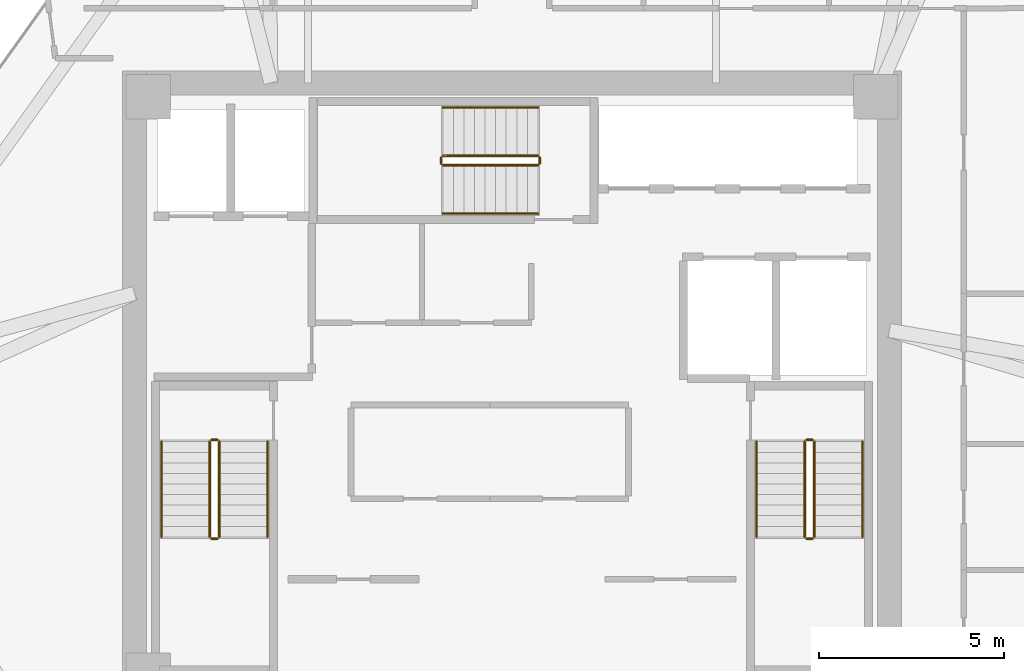
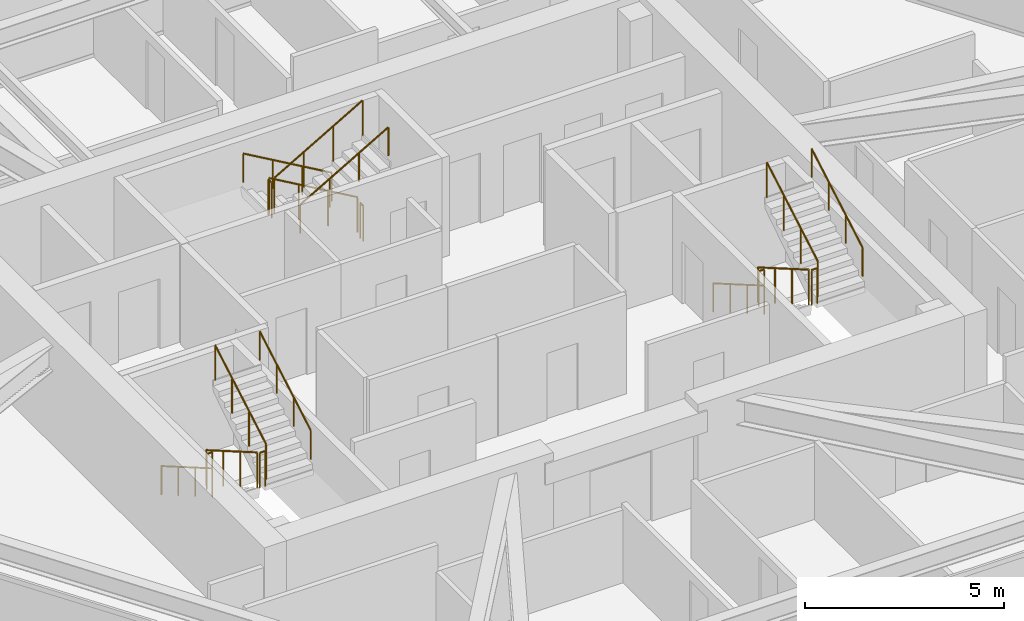
# One storey, part 14 of 14: 18 railings.
"""IFC4 building model written with IfcOpenShell, lengths in metres."""

import ifcopenshell
import ifcopenshell.guid

model = None  # the IFC model being written
_history = None  # IfcOwnerHistory: only IFC2X3 demands one
_inside = {}  # id of a spatial element -> (the spatial element, [elements in it])
_under = {}  # id of a project, library or spatial element -> (it, [spatial elements below it])
_declared = {}  # id of a project -> (the project, [libraries it declares])
_typed = {}  # id of a type object -> (the type object, [elements of that type])
_made_of = {}  # id of a material, layer set ... -> (it, [elements and type objects made of it])


def new_model(schema):
    """Start an empty IFC model of exactly this schema.

    Asked for "IFC4X3", IfcOpenShell would pick the latest addendum, in which some entities
    have other attributes; the version numbers below select the first issue.
    IFC2X3 requires an IfcOwnerHistory on every rooted entity: one is made here for all.
    """
    global model, _history
    if schema == "IFC4X3":
        model = ifcopenshell.file(schema_version=(4, 3, 0, 0))
    else:
        model = ifcopenshell.file(schema=schema)
    _inside.clear()
    _under.clear()
    _declared.clear()
    _typed.clear()
    _made_of.clear()
    _history = None
    if model.schema == "IFC2X3":
        org = make("IfcOrganization", Name="unknown")
        user = make(
            "IfcPersonAndOrganization",
            ThePerson=make("IfcPerson", FamilyName="unknown"),
            TheOrganization=org,
        )
        app = make(
            "IfcApplication",
            ApplicationDeveloper=org,
            Version="unknown",
            ApplicationFullName="unknown",
            ApplicationIdentifier="unknown",
        )
        _history = make(
            "IfcOwnerHistory",
            OwningUser=user,
            OwningApplication=app,
            ChangeAction="ADDED",
            CreationDate=0,
        )
    return model


def make(cls, **values):
    """One entity of the class cls with the attributes given. An attribute that is None is left unset."""
    return model.create_entity(
        cls, **{name: value for name, value in values.items() if value is not None}
    )


def rooted(cls, **values):
    """An entity with a GlobalId (a new one), such as an element, a storey or a relation."""
    return make(cls, GlobalId=ifcopenshell.guid.new(), OwnerHistory=_history, **values)


def si_unit(unit_type, name, prefix=None):
    """IfcSIUnit, for example si_unit("LENGTHUNIT", "METRE", prefix="MILLI")."""
    return make("IfcSIUnit", UnitType=unit_type, Prefix=prefix, Name=name)


def assignment(units):
    """IfcUnitAssignment: the units of a project."""
    return None if units is None else make("IfcUnitAssignment", Units=units)


def point(xyz):
    """IfcCartesianPoint."""
    return None if xyz is None else make("IfcCartesianPoint", Coordinates=xyz)


def direction(xyz):
    """IfcDirection."""
    return None if xyz is None else make("IfcDirection", DirectionRatios=xyz)


def frame(location, z_axis=None, x_axis=None):
    """IfcAxis2Placement3D, a coordinate frame: its origin and axes. An axis left out is left unset."""
    return make(
        "IfcAxis2Placement3D",
        Location=point(location),
        Axis=direction(z_axis),
        RefDirection=direction(x_axis),
    )


def frame_2d(location, x_axis=None):
    """IfcAxis2Placement2D, a coordinate frame in the plane: its origin and x axis."""
    return make(
        "IfcAxis2Placement2D", Location=point(location), RefDirection=direction(x_axis)
    )


def origin():
    """The frame at (0, 0, 0) with its axes left unset."""
    return frame((0.0, 0.0, 0.0))


def origin_2d():
    """The frame at (0, 0) in the plane with its x axis left unset."""
    return frame_2d((0.0, 0.0))


def place(relative_to, where):
    """IfcLocalPlacement: puts the frame where relative to a parent placement (None: the world)."""
    return make(
        "IfcLocalPlacement", PlacementRelTo=relative_to, RelativePlacement=where
    )


def context(
    kind, dimensions, precision=None, world=None, true_north=None, identifier=None
):
    """IfcGeometricRepresentationContext, for example the 3D "Model" context."""
    return make(
        "IfcGeometricRepresentationContext",
        ContextIdentifier=identifier,
        ContextType=kind,
        CoordinateSpaceDimension=dimensions,
        Precision=precision,
        WorldCoordinateSystem=world,
        TrueNorth=true_north,
    )


def subcontext(parent, identifier, kind, view, scale=None):
    """IfcGeometricRepresentationSubContext, for example "Body" below "Model"."""
    return make(
        "IfcGeometricRepresentationSubContext",
        ContextIdentifier=identifier,
        ContextType=kind,
        ParentContext=parent,
        TargetScale=scale,
        TargetView=view,
    )


def project(units=None, contexts=None):
    """IfcProject with its units and contexts."""
    return rooted(
        "IfcProject",
        Name="project",
        RepresentationContexts=contexts,
        UnitsInContext=assignment(units),
    )


def spatial(cls, under=None, at=None, **own):
    """A site, building, storey or space (cls), placed at a placement, below another one or the project."""
    s = rooted(cls, ObjectPlacement=at, **own)
    if under is not None:
        _under.setdefault(under.id(), (under, []))[1].append(s)
    return s


def profile(cls, at=None, kind="AREA", **sizes):
    """A parametric profile (cls). Its sizes go by their IFC names, for example OverallWidth=200.0."""
    return make(cls, ProfileType=kind, Position=at, **sizes)


def circle(**sizes):
    """IfcCircleProfileDef."""
    return profile("IfcCircleProfileDef", **sizes)


def extrude(swept, where, along, depth):
    """IfcExtrudedAreaSolid: the profile swept, set in the frame where, extruded along a direction by depth."""
    return make(
        "IfcExtrudedAreaSolid",
        SweptArea=swept,
        Position=where,
        ExtrudedDirection=direction(along),
        Depth=depth,
    )


def shape(context_of_items, identifier, shape_type, items):
    """IfcShapeRepresentation: the items that make up one representation, for example the "Body"."""
    return make(
        "IfcShapeRepresentation",
        ContextOfItems=context_of_items,
        RepresentationIdentifier=identifier,
        RepresentationType=shape_type,
        Items=items,
    )


def material(Name=None, Category=None):
    """IfcMaterial."""
    return make("IfcMaterial", Name=Name, Category=Category)


def made_of(thing, what):
    """Note that an element or type object is made of a material, layer set ...; save() writes the relation."""
    if what is not None:
        _made_of.setdefault(what.id(), (what, []))[1].append(thing)
    return thing


def type_object(cls, material=None, **own):
    """A type object (cls), such as IfcWallType, which elements share."""
    return made_of(rooted(cls, **own), material)


def element(
    cls,
    number,
    at=None,
    inside=None,
    cuts=None,
    type_object=None,
    material=None,
    context=None,
    identifier="Body",
    shape_type=None,
    held_by="IfcProductDefinitionShape",
    body=None,
    shapes=None,
    **own,
):
    """One element of the class cls, such as IfcWall. Its Tag is "e" and its number.

    at: its placement. inside: the storey or other place that contains it. cuts: it is an
    opening in that element (IfcRelVoidsElement). A single representation is given by context,
    identifier, shape_type and body (its items); several are given by shapes. held_by: the class
    of the entity that holds the representations. save() writes the other relations.
    """
    e = rooted(cls, Tag="e%d" % number, ObjectPlacement=at, **own)
    if body is not None:
        shapes = [shape(context, identifier, shape_type, body)]
    if shapes is not None:
        e.Representation = make(held_by, Representations=shapes)
    if inside is not None:
        _inside.setdefault(inside.id(), (inside, []))[1].append(e)
    if cuts is not None:
        rooted(
            "IfcRelVoidsElement", RelatingBuildingElement=cuts, RelatedOpeningElement=e
        )
    if type_object is not None:
        _typed.setdefault(type_object.id(), (type_object, []))[1].append(e)
    return made_of(e, material)


def aggregate(whole, parts):
    """IfcRelAggregates: a whole, such as a stair, and the parts it consists of."""
    return rooted("IfcRelAggregates", RelatingObject=whole, RelatedObjects=parts)


def save(model, path):
    """Write the relations noted so far, then the file.

    IfcRelAggregates (storeys below a building ...), IfcRelContainedInSpatialStructure (elements
    in a storey), IfcRelDefinesByType, IfcRelAssociatesMaterial and IfcRelDeclares: one each for
    every whole, place, type object, material and project.
    """
    for whole, parts in _under.values():
        aggregate(whole, parts)
    for where, things in _inside.values():
        rooted(
            "IfcRelContainedInSpatialStructure",
            RelatedElements=things,
            RelatingStructure=where,
        )
    for kind, things in _typed.values():
        rooted("IfcRelDefinesByType", RelatedObjects=things, RelatingType=kind)
    for what, things in _made_of.values():
        rooted("IfcRelAssociatesMaterial", RelatedObjects=things, RelatingMaterial=what)
    for by, libraries in _declared.values():
        rooted("IfcRelDeclares", RelatingContext=by, RelatedDefinitions=libraries)
    model.write(path)


model = new_model("IFC4")

# Units and contexts
model_context = context("Model", 3, precision=1e-05, world=origin(), true_north=direction((0.0, 1.0)))
body_context = subcontext(model_context, "Body", "Model", "MODEL_VIEW")
ifc_project = project(units=[si_unit("LENGTHUNIT", "METRE"), si_unit("AREAUNIT", "SQUARE_METRE"), si_unit("VOLUMEUNIT", "CUBIC_METRE"), si_unit("PLANEANGLEUNIT", "RADIAN"), si_unit("MASSUNIT", "GRAM", prefix="KILO")], contexts=[model_context])

# Site, building, storey
site_placement = place(None, origin())
site = spatial("IfcSite", under=ifc_project, at=site_placement, CompositionType="ELEMENT")
building_placement = place(site_placement, origin())
building = spatial("IfcBuilding", under=site, at=building_placement, Name="Durnholm Broadcast Tower", CompositionType="ELEMENT")
storey_placement = place(building_placement, frame((0.0, 0.0, 173.800048828125)))
storey = spatial("IfcBuildingStorey", under=building, at=storey_placement, Name="L47", CompositionType="ELEMENT", Elevation=173.800048828125)

# Railings
ifc_material_1 = material(Name="Painted Tubular Steel Stair Guardrail", Category="steel")
railing_type_1 = type_object("IfcRailingType", Name="RAIL-ST-GRD", PredefinedType="GUARDRAIL", material=ifc_material_1)
railing_1_placement = place(storey_placement, frame((-8.14990234375, -1.5, 0.1650390625)))
element("IfcRailing", 1, at=railing_1_placement, inside=storey, type_object=railing_type_1, Name="L47 ST-1 stair guard 1", PredefinedType="GUARDRAIL", context=body_context, shape_type="SweptSolid", body=[
    extrude(circle(Radius=0.02392578125, at=origin_2d()), frame((0.0, 0.0, 1.076171875), z_axis=(0.0, -0.865441324677, 0.50101029285), x_axis=(1.0, 0.0, 0.0)), (0.0, 0.0, 1.0), 2.963623046875),
    extrude(circle(Radius=0.02099609375, at=origin_2d()), origin(), (0.0, 0.0, 1.0), 1.052001953125),
    extrude(circle(Radius=0.02099609375, at=origin_2d()), frame((0.0, -0.85498046875, 0.494873046875)), (0.0, 0.0, 1.0), 1.052001953125),
    extrude(circle(Radius=0.02099609375, at=origin_2d()), frame((0.0, -1.7099609375, 0.989990234375)), (0.0, 0.0, 1.0), 1.052001953125),
    extrude(circle(Radius=0.02099609375, at=origin_2d()), frame((0.0, -2.56494140625, 1.48486328125)), (0.0, 0.0, 1.0), 1.052001953125),
])
railing_2_placement = place(storey_placement, frame((-8.10009765625, -4.114990234375, 1.64990234375)))
element("IfcRailing", 2, at=railing_2_placement, inside=storey, type_object=railing_type_1, Name="L47 ST-1 stair guard 2", PredefinedType="GUARDRAIL", context=body_context, shape_type="SweptSolid", body=[
    extrude(circle(Radius=0.02392578125, at=origin_2d()), frame((0.0, 0.0, 1.076171875), z_axis=(1.0, 0.0, 0.0), x_axis=(0.0, 1.0, 0.0)), (0.0, 0.0, 1.0), 0.16015625),
    extrude(circle(Radius=0.02099609375, at=origin_2d()), origin(), (0.0, 0.0, 1.0), 1.052001953125),
    extrude(circle(Radius=0.02099609375, at=origin_2d()), frame((0.16015625, 0.0, 0.0)), (0.0, 0.0, 1.0), 1.052001953125),
])
railing_3_placement = place(storey_placement, frame((-7.889892578125, -4.06494140625, 1.81494140625)))
element("IfcRailing", 3, at=railing_3_placement, inside=storey, type_object=railing_type_1, Name="L47 ST-1 stair guard 3", PredefinedType="GUARDRAIL", context=body_context, shape_type="SweptSolid", body=[
    extrude(circle(Radius=0.02392578125, at=origin_2d()), frame((0.0, 0.0, 1.076171875), z_axis=(0.0, 0.865405606168, 0.501071987656), x_axis=(-1.0, 0.0, 0.0)), (0.0, 0.0, 1.0), 2.9638671875),
    extrude(circle(Radius=0.02099609375, at=origin_2d()), origin(), (0.0, 0.0, 1.0), 1.052001953125),
    extrude(circle(Radius=0.02099609375, at=origin_2d()), frame((0.0, 0.85498046875, 0.4951171875)), (0.0, 0.0, 1.0), 1.052001953125),
    extrude(circle(Radius=0.02099609375, at=origin_2d()), frame((0.0, 1.7099609375, 0.989990234375)), (0.0, 0.0, 1.0), 1.052001953125),
    extrude(circle(Radius=0.02099609375, at=origin_2d()), frame((0.0, 2.56494140625, 1.485107421875)), (0.0, 0.0, 1.0), 1.052001953125),
])
railing_4_placement = place(storey_placement, frame((-8.10009765625, -1.449951171875, 0.0)))
element("IfcRailing", 4, at=railing_4_placement, inside=storey, type_object=railing_type_1, Name="L47 ST-1 stair guard 4", PredefinedType="GUARDRAIL", context=body_context, shape_type="SweptSolid", body=[
    extrude(circle(Radius=0.02392578125, at=origin_2d()), frame((0.0, 0.0, 1.076171875), z_axis=(1.0, 0.0, 0.0), x_axis=(0.0, 1.0, 0.0)), (0.0, 0.0, 1.0), 0.16015625),
    extrude(circle(Radius=0.02099609375, at=origin_2d()), origin(), (0.0, 0.0, 1.0), 1.052001953125),
    extrude(circle(Radius=0.02099609375, at=origin_2d()), frame((0.16015625, 0.0, 0.0)), (0.0, 0.0, 1.0), 1.052001953125),
])
railing_5_placement = place(storey_placement, frame((7.889892578125, -1.5, 0.1650390625)))
element("IfcRailing", 5, at=railing_5_placement, inside=storey, type_object=railing_type_1, Name="L47 ST-2 stair guard 1", PredefinedType="GUARDRAIL", context=body_context, shape_type="SweptSolid", body=[
    extrude(circle(Radius=0.02392578125, at=origin_2d()), frame((0.0, 0.0, 1.076171875), z_axis=(0.0, -0.865441324677, 0.50101029285), x_axis=(1.0, 0.0, 0.0)), (0.0, 0.0, 1.0), 2.963623046875),
    extrude(circle(Radius=0.02099609375, at=origin_2d()), origin(), (0.0, 0.0, 1.0), 1.052001953125),
    extrude(circle(Radius=0.02099609375, at=origin_2d()), frame((0.0, -0.85498046875, 0.494873046875)), (0.0, 0.0, 1.0), 1.052001953125),
    extrude(circle(Radius=0.02099609375, at=origin_2d()), frame((0.0, -1.7099609375, 0.989990234375)), (0.0, 0.0, 1.0), 1.052001953125),
    extrude(circle(Radius=0.02099609375, at=origin_2d()), frame((0.0, -2.56494140625, 1.48486328125)), (0.0, 0.0, 1.0), 1.052001953125),
])
railing_6_placement = place(storey_placement, frame((7.93994140625, -4.114990234375, 1.64990234375)))
element("IfcRailing", 6, at=railing_6_placement, inside=storey, type_object=railing_type_1, Name="L47 ST-2 stair guard 2", PredefinedType="GUARDRAIL", context=body_context, shape_type="SweptSolid", body=[
    extrude(circle(Radius=0.02392578125, at=origin_2d()), frame((0.0, 0.0, 1.076171875), z_axis=(1.0, 0.0, 0.0), x_axis=(0.0, 1.0, 0.0)), (0.0, 0.0, 1.0), 0.16015625),
    extrude(circle(Radius=0.02099609375, at=origin_2d()), origin(), (0.0, 0.0, 1.0), 1.052001953125),
    extrude(circle(Radius=0.02099609375, at=origin_2d()), frame((0.16015625, 0.0, 0.0)), (0.0, 0.0, 1.0), 1.052001953125),
])
railing_7_placement = place(storey_placement, frame((8.14990234375, -4.06494140625, 1.81494140625)))
element("IfcRailing", 7, at=railing_7_placement, inside=storey, type_object=railing_type_1, Name="L47 ST-2 stair guard 3", PredefinedType="GUARDRAIL", context=body_context, shape_type="SweptSolid", body=[
    extrude(circle(Radius=0.02392578125, at=origin_2d()), frame((0.0, 0.0, 1.076171875), z_axis=(0.0, 0.865405606168, 0.501071987656), x_axis=(-1.0, 0.0, 0.0)), (0.0, 0.0, 1.0), 2.9638671875),
    extrude(circle(Radius=0.02099609375, at=origin_2d()), origin(), (0.0, 0.0, 1.0), 1.052001953125),
    extrude(circle(Radius=0.02099609375, at=origin_2d()), frame((0.0, 0.85498046875, 0.4951171875)), (0.0, 0.0, 1.0), 1.052001953125),
    extrude(circle(Radius=0.02099609375, at=origin_2d()), frame((0.0, 1.7099609375, 0.989990234375)), (0.0, 0.0, 1.0), 1.052001953125),
    extrude(circle(Radius=0.02099609375, at=origin_2d()), frame((0.0, 2.56494140625, 1.485107421875)), (0.0, 0.0, 1.0), 1.052001953125),
])
railing_8_placement = place(storey_placement, frame((7.93994140625, -1.449951171875, 0.0)))
element("IfcRailing", 8, at=railing_8_placement, inside=storey, type_object=railing_type_1, Name="L47 ST-2 stair guard 4", PredefinedType="GUARDRAIL", context=body_context, shape_type="SweptSolid", body=[
    extrude(circle(Radius=0.02392578125, at=origin_2d()), frame((0.0, 0.0, 1.076171875), z_axis=(1.0, 0.0, 0.0), x_axis=(0.0, 1.0, 0.0)), (0.0, 0.0, 1.0), 0.16015625),
    extrude(circle(Radius=0.02099609375, at=origin_2d()), origin(), (0.0, 0.0, 1.0), 1.052001953125),
    extrude(circle(Radius=0.02099609375, at=origin_2d()), frame((0.16015625, 0.0, 0.0)), (0.0, 0.0, 1.0), 1.052001953125),
])
railing_9_placement = place(storey_placement, frame((0.699951171875, 6.2099609375, 0.1650390625)))
element("IfcRailing", 9, at=railing_9_placement, inside=storey, type_object=railing_type_1, Name="L47 ST-3 stair guard 1", PredefinedType="GUARDRAIL", context=body_context, shape_type="SweptSolid", body=[
    extrude(circle(Radius=0.02392578125, at=origin_2d()), frame((0.0, 0.0, 1.076171875), z_axis=(-0.865441324677, 0.0, 0.50101029285), x_axis=(0.0, -1.0, 0.0)), (0.0, 0.0, 1.0), 2.963623046875),
    extrude(circle(Radius=0.02099609375, at=origin_2d()), origin(), (0.0, 0.0, 1.0), 1.052001953125),
    extrude(circle(Radius=0.02099609375, at=origin_2d()), frame((-0.85498046875, 0.0, 0.494873046875)), (0.0, 0.0, 1.0), 1.052001953125),
    extrude(circle(Radius=0.02099609375, at=origin_2d()), frame((-1.7099609375, 0.0, 0.989990234375)), (0.0, 0.0, 1.0), 1.052001953125),
    extrude(circle(Radius=0.02099609375, at=origin_2d()), frame((-2.56494140625, 0.0, 1.48486328125)), (0.0, 0.0, 1.0), 1.052001953125),
])
railing_10_placement = place(storey_placement, frame((-1.9150390625, 6.159912109375, 1.64990234375)))
element("IfcRailing", 10, at=railing_10_placement, inside=storey, type_object=railing_type_1, Name="L47 ST-3 stair guard 2", PredefinedType="GUARDRAIL", context=body_context, shape_type="SweptSolid", body=[
    extrude(circle(Radius=0.02392578125, at=origin_2d()), frame((0.0, 0.0, 1.076171875), z_axis=(0.0, -1.0, 0.0), x_axis=(1.0, 0.0, 0.0)), (0.0, 0.0, 1.0), 0.159912109375),
    extrude(circle(Radius=0.02099609375, at=origin_2d()), origin(), (0.0, 0.0, 1.0), 1.052001953125),
    extrude(circle(Radius=0.02099609375, at=origin_2d()), frame((0.0, -0.159912109375, 0.0)), (0.0, 0.0, 1.0), 1.052001953125),
])
railing_11_placement = place(storey_placement, frame((-1.864990234375, 5.949951171875, 1.81494140625)))
element("IfcRailing", 11, at=railing_11_placement, inside=storey, type_object=railing_type_1, Name="L47 ST-3 stair guard 3", PredefinedType="GUARDRAIL", context=body_context, shape_type="SweptSolid", body=[
    extrude(circle(Radius=0.02392578125, at=origin_2d()), frame((0.0, 0.0, 1.076171875), z_axis=(0.865405606168, 0.0, 0.501071987656), x_axis=(0.0, 1.0, 0.0)), (0.0, 0.0, 1.0), 2.9638671875),
    extrude(circle(Radius=0.02099609375, at=origin_2d()), origin(), (0.0, 0.0, 1.0), 1.052001953125),
    extrude(circle(Radius=0.02099609375, at=origin_2d()), frame((0.85498046875, 0.0, 0.4951171875)), (0.0, 0.0, 1.0), 1.052001953125),
    extrude(circle(Radius=0.02099609375, at=origin_2d()), frame((1.7099609375, 0.0, 0.989990234375)), (0.0, 0.0, 1.0), 1.052001953125),
    extrude(circle(Radius=0.02099609375, at=origin_2d()), frame((2.56494140625, 0.0, 1.485107421875)), (0.0, 0.0, 1.0), 1.052001953125),
])
railing_12_placement = place(storey_placement, frame((0.75, 6.159912109375, 0.0)))
element("IfcRailing", 12, at=railing_12_placement, inside=storey, type_object=railing_type_1, Name="L47 ST-3 stair guard 4", PredefinedType="GUARDRAIL", context=body_context, shape_type="SweptSolid", body=[
    extrude(circle(Radius=0.02392578125, at=origin_2d()), frame((0.0, 0.0, 1.076171875), z_axis=(0.0, -1.0, 0.0), x_axis=(1.0, 0.0, 0.0)), (0.0, 0.0, 1.0), 0.159912109375),
    extrude(circle(Radius=0.02099609375, at=origin_2d()), origin(), (0.0, 0.0, 1.0), 1.052001953125),
    extrude(circle(Radius=0.02099609375, at=origin_2d()), frame((0.0, -0.159912109375, 0.0)), (0.0, 0.0, 1.0), 1.052001953125),
])
ifc_material_2 = material(Name="Brushed Stainless Steel Handrail", Category="steel")
railing_type_2 = type_object("IfcRailingType", Name="RAIL-ST-HND", PredefinedType="HANDRAIL", material=ifc_material_2)
railing_13_placement = place(storey_placement, frame((-9.449951171875, -1.5, 0.329833984375)))
element("IfcRailing", 13, at=railing_13_placement, inside=storey, type_object=railing_type_2, Name="L47 ST-1 stair handrail 1", PredefinedType="HANDRAIL", context=body_context, shape_type="SweptSolid", body=[
    extrude(circle(Radius=0.02392578125, at=origin_2d()), frame((0.0, 0.0, 0.8759765625), z_axis=(0.0, -0.865405606168, 0.501071987656), x_axis=(1.0, 0.0, 0.0)), (0.0, 0.0, 1.0), 2.9638671875),
    extrude(circle(Radius=0.02099609375, at=origin_2d()), origin(), (0.0, 0.0, 1.0), 0.851806640625),
    extrude(circle(Radius=0.02099609375, at=origin_2d()), frame((0.0, -0.85498046875, 0.4951171875)), (0.0, 0.0, 1.0), 0.851806640625),
    extrude(circle(Radius=0.02099609375, at=origin_2d()), frame((0.0, -1.7099609375, 0.989990234375)), (0.0, 0.0, 1.0), 0.851806640625),
    extrude(circle(Radius=0.02099609375, at=origin_2d()), frame((0.0, -2.56494140625, 1.485107421875)), (0.0, 0.0, 1.0), 0.851806640625),
])
railing_14_placement = place(storey_placement, frame((-6.590087890625, -4.06494140625, 1.97998046875)))
element("IfcRailing", 14, at=railing_14_placement, inside=storey, type_object=railing_type_2, Name="L47 ST-1 stair handrail 2", PredefinedType="HANDRAIL", context=body_context, shape_type="SweptSolid", body=[
    extrude(circle(Radius=0.02392578125, at=origin_2d()), frame((0.0, 0.0, 0.8759765625), z_axis=(0.0, 0.865441324677, 0.50101029285), x_axis=(-1.0, 0.0, 0.0)), (0.0, 0.0, 1.0), 2.963623046875),
    extrude(circle(Radius=0.02099609375, at=origin_2d()), origin(), (0.0, 0.0, 1.0), 0.851806640625),
    extrude(circle(Radius=0.02099609375, at=origin_2d()), frame((0.0, 0.85498046875, 0.494873046875)), (0.0, 0.0, 1.0), 0.851806640625),
    extrude(circle(Radius=0.02099609375, at=origin_2d()), frame((0.0, 1.7099609375, 0.989990234375)), (0.0, 0.0, 1.0), 0.851806640625),
    extrude(circle(Radius=0.02099609375, at=origin_2d()), frame((0.0, 2.56494140625, 1.48486328125)), (0.0, 0.0, 1.0), 0.851806640625),
])
railing_15_placement = place(storey_placement, frame((6.590087890625, -1.5, 0.329833984375)))
element("IfcRailing", 15, at=railing_15_placement, inside=storey, type_object=railing_type_2, Name="L47 ST-2 stair handrail 1", PredefinedType="HANDRAIL", context=body_context, shape_type="SweptSolid", body=[
    extrude(circle(Radius=0.02392578125, at=origin_2d()), frame((0.0, 0.0, 0.8759765625), z_axis=(0.0, -0.865405606168, 0.501071987656), x_axis=(1.0, 0.0, 0.0)), (0.0, 0.0, 1.0), 2.9638671875),
    extrude(circle(Radius=0.02099609375, at=origin_2d()), origin(), (0.0, 0.0, 1.0), 0.851806640625),
    extrude(circle(Radius=0.02099609375, at=origin_2d()), frame((0.0, -0.85498046875, 0.4951171875)), (0.0, 0.0, 1.0), 0.851806640625),
    extrude(circle(Radius=0.02099609375, at=origin_2d()), frame((0.0, -1.7099609375, 0.989990234375)), (0.0, 0.0, 1.0), 0.851806640625),
    extrude(circle(Radius=0.02099609375, at=origin_2d()), frame((0.0, -2.56494140625, 1.485107421875)), (0.0, 0.0, 1.0), 0.851806640625),
])
railing_16_placement = place(storey_placement, frame((9.449951171875, -4.06494140625, 1.97998046875)))
element("IfcRailing", 16, at=railing_16_placement, inside=storey, type_object=railing_type_2, Name="L47 ST-2 stair handrail 2", PredefinedType="HANDRAIL", context=body_context, shape_type="SweptSolid", body=[
    extrude(circle(Radius=0.02392578125, at=origin_2d()), frame((0.0, 0.0, 0.8759765625), z_axis=(0.0, 0.865441324677, 0.50101029285), x_axis=(-1.0, 0.0, 0.0)), (0.0, 0.0, 1.0), 2.963623046875),
    extrude(circle(Radius=0.02099609375, at=origin_2d()), origin(), (0.0, 0.0, 1.0), 0.851806640625),
    extrude(circle(Radius=0.02099609375, at=origin_2d()), frame((0.0, 0.85498046875, 0.494873046875)), (0.0, 0.0, 1.0), 0.851806640625),
    extrude(circle(Radius=0.02099609375, at=origin_2d()), frame((0.0, 1.7099609375, 0.989990234375)), (0.0, 0.0, 1.0), 0.851806640625),
    extrude(circle(Radius=0.02099609375, at=origin_2d()), frame((0.0, 2.56494140625, 1.48486328125)), (0.0, 0.0, 1.0), 0.851806640625),
])
railing_17_placement = place(storey_placement, frame((0.699951171875, 7.510009765625, 0.329833984375)))
element("IfcRailing", 17, at=railing_17_placement, inside=storey, type_object=railing_type_2, Name="L47 ST-3 stair handrail 1", PredefinedType="HANDRAIL", context=body_context, shape_type="SweptSolid", body=[
    extrude(circle(Radius=0.02392578125, at=origin_2d()), frame((0.0, 0.0, 0.8759765625), z_axis=(-0.865405606168, 0.0, 0.501071987656), x_axis=(0.0, -1.0, 0.0)), (0.0, 0.0, 1.0), 2.9638671875),
    extrude(circle(Radius=0.02099609375, at=origin_2d()), origin(), (0.0, 0.0, 1.0), 0.851806640625),
    extrude(circle(Radius=0.02099609375, at=origin_2d()), frame((-0.85498046875, 0.0, 0.4951171875)), (0.0, 0.0, 1.0), 0.851806640625),
    extrude(circle(Radius=0.02099609375, at=origin_2d()), frame((-1.7099609375, 0.0, 0.989990234375)), (0.0, 0.0, 1.0), 0.851806640625),
    extrude(circle(Radius=0.02099609375, at=origin_2d()), frame((-2.56494140625, 0.0, 1.485107421875)), (0.0, 0.0, 1.0), 0.851806640625),
])
railing_18_placement = place(storey_placement, frame((-1.864990234375, 4.64990234375, 1.97998046875)))
element("IfcRailing", 18, at=railing_18_placement, inside=storey, type_object=railing_type_2, Name="L47 ST-3 stair handrail 2", PredefinedType="HANDRAIL", context=body_context, shape_type="SweptSolid", body=[
    extrude(circle(Radius=0.02392578125, at=origin_2d()), frame((0.0, 0.0, 0.8759765625), z_axis=(0.865441324677, 0.0, 0.50101029285), x_axis=(0.0, 1.0, 0.0)), (0.0, 0.0, 1.0), 2.963623046875),
    extrude(circle(Radius=0.02099609375, at=origin_2d()), origin(), (0.0, 0.0, 1.0), 0.851806640625),
    extrude(circle(Radius=0.02099609375, at=origin_2d()), frame((0.85498046875, 0.0, 0.494873046875)), (0.0, 0.0, 1.0), 0.851806640625),
    extrude(circle(Radius=0.02099609375, at=origin_2d()), frame((1.7099609375, 0.0, 0.989990234375)), (0.0, 0.0, 1.0), 0.851806640625),
    extrude(circle(Radius=0.02099609375, at=origin_2d()), frame((2.56494140625, 0.0, 1.48486328125)), (0.0, 0.0, 1.0), 0.851806640625),
])

save(model, "model.ifc")
